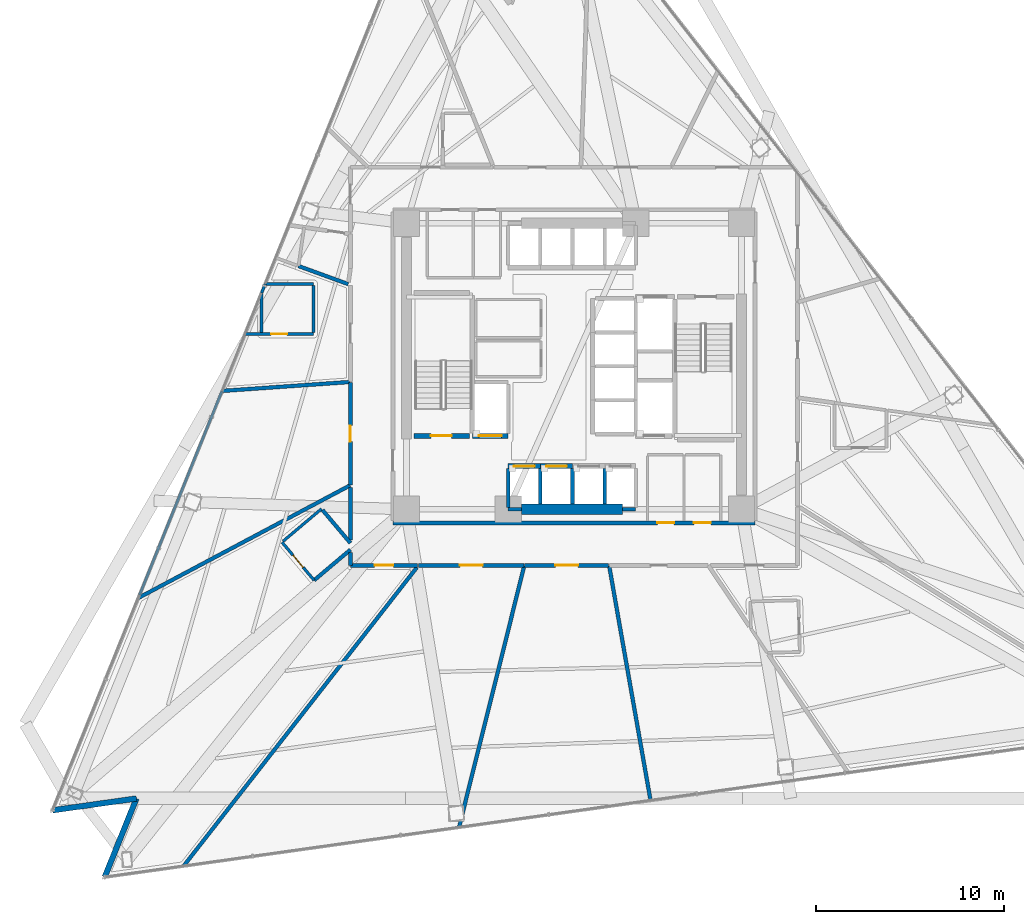
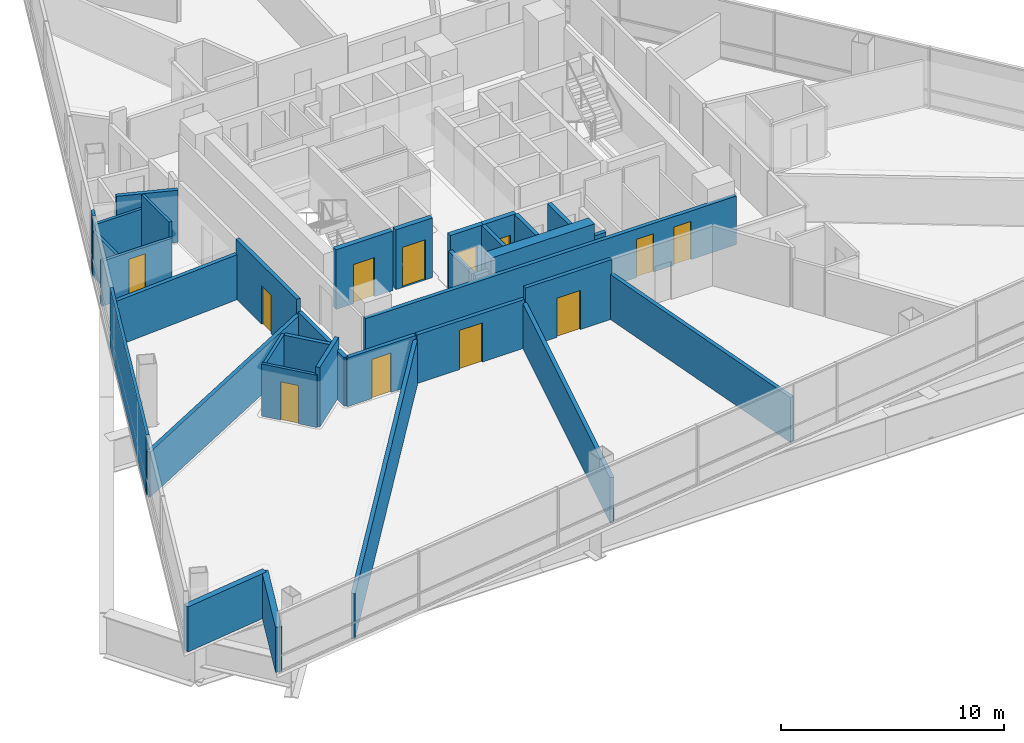
# One storey, part 7 of 15: 36 walls, 12 doors, 12 openings.
"""IFC4 building model written with IfcOpenShell, lengths in metres."""

from ifc_helpers import new_model, si_unit, direction, frame, frame_2d, origin, place, context, subcontext, project, spatial, rectangle, extrude, material, layer, layer_set, type_object, element, fill, save


model = new_model("IFC4")

# Units and contexts
model_context = context("Model", 3, precision=1e-05, world=origin(), true_north=direction((0.0, 1.0)))
body_context = subcontext(model_context, "Body", "Model", "MODEL_VIEW")
ifc_project = project(units=[si_unit("LENGTHUNIT", "METRE"), si_unit("AREAUNIT", "SQUARE_METRE"), si_unit("VOLUMEUNIT", "CUBIC_METRE"), si_unit("PLANEANGLEUNIT", "RADIAN"), si_unit("MASSUNIT", "GRAM", prefix="KILO")], contexts=[model_context])

# Site, building, storey
site_placement = place(None, origin())
site = spatial("IfcSite", under=ifc_project, at=site_placement, CompositionType="ELEMENT")
building_placement = place(site_placement, origin())
building = spatial("IfcBuilding", under=site, at=building_placement, Name="Tharavind Bronze Gate", CompositionType="ELEMENT")
storey_placement = place(building_placement, frame((0.0, 0.0, 57.0)))
storey = spatial("IfcBuildingStorey", under=building, at=storey_placement, Name="L13", CompositionType="ELEMENT", Elevation=57.0)

# Walls
ifc_material_1 = material(Name="Concrete C40/50", Category="concrete")
ifc_layer_1 = layer(ifc_material_1, 0.300048828125)
ifc_layer_set_1 = layer_set([ifc_layer_1], Name="Concrete C40/50")
wall_type_1 = type_object("IfcWallType", Name="EXTERIOR SPANDREL WALL 300", PredefinedType="STANDARD", material=ifc_layer_set_1)
wall_1_placement = place(storey_placement, frame((-27.70703125, -23.591796875, 0.0), z_axis=(0.0, 0.0, 1.0), x_axis=(0.990269200152, 0.139165050317, 0.0)))
element("IfcWall", 1, at=wall_1_placement, inside=storey, type_object=wall_type_1, Name="L13 notch cheek wall 2A", PredefinedType="STANDARD", context=body_context, shape_type="SweptSolid", body=[
    extrude(rectangle(XDim=4.499755859375, YDim=0.300048828125, at=frame_2d((2.25, 0.0))), origin(), (0.0, 0.0, 1.0), 2.469970703125),
])
wall_2_placement = place(storey_placement, frame((-23.2509765625, -22.965576171875, 0.0), z_axis=(0.0, 0.0, 1.0), x_axis=(-0.374568898324, -0.927199083481, 0.0)))
element("IfcWall", 2, at=wall_2_placement, inside=storey, type_object=wall_type_1, Name="L13 notch cheek wall 2B", PredefinedType="STANDARD", context=body_context, shape_type="SweptSolid", body=[
    extrude(rectangle(XDim=4.5, YDim=0.300048828125, at=frame_2d((2.25, 0.0))), origin(), (0.0, 0.0, 1.0), 2.469970703125),
])

# Wall, openings, doors
ifc_material_2 = material(Name="Aerated Concrete Block", Category="concrete")
ifc_layer_2 = layer(ifc_material_2, 0.199951171875)
ifc_layer_set_2 = layer_set([ifc_layer_2], Name="Aerated Concrete Block")
wall_type_2 = type_object("IfcWallType", Name="FIRE RATED PARTITION 200", PredefinedType="PARTITIONING", material=ifc_layer_set_2)
wall_3_placement = place(storey_placement, frame((-9.6201171875, -8.320068359375, 0.0), z_axis=(0.0, 0.0, 1.0), x_axis=(1.0, 0.0, 0.0)))
wall_3 = element("IfcWall", 3, at=wall_3_placement, inside=storey, type_object=wall_type_2, Name="L13 south core corridor wall", PredefinedType="PARTITIONING", context=body_context, shape_type="SweptSolid", body=[
    extrude(rectangle(XDim=19.240234375, YDim=0.199951171875, at=frame_2d((9.6201171875, 0.0))), origin(), (0.0, 0.0, 1.0), 2.669921875),
])
opening_1_placement = place(wall_3_placement, frame((14.044921875, 0.0, 0.0)))
opening_1 = element("IfcOpeningElement", 4, at=opening_1_placement, cuts=wall_3, Name="Opening ID07", PredefinedType="OPENING", context=body_context, shape_type="SweptSolid", body=[
    extrude(rectangle(XDim=0.89990234375, YDim=2.10009765625, at=frame_2d((0.449951171875, 1.050048828125))), frame((0.0, 0.11009765625, 0.0), z_axis=(0.0, -1.0, 0.0), x_axis=(1.0, 0.0, 0.0)), (0.0, 0.0, 1.0), 0.219951171875),
])
opening_2_placement = place(wall_3_placement, frame((15.9951171875, 0.0, 0.0)))
opening_2 = element("IfcOpeningElement", 5, at=opening_2_placement, cuts=wall_3, Name="Opening ID07", PredefinedType="OPENING", context=body_context, shape_type="SweptSolid", body=[
    extrude(rectangle(XDim=0.89990234375, YDim=2.10009765625, at=frame_2d((0.449951171875, 1.050048828125))), frame((0.0, 0.11009765625, 0.0), z_axis=(0.0, -1.0, 0.0), x_axis=(1.0, 0.0, 0.0)), (0.0, 0.0, 1.0), 0.219951171875),
])
ifc_material_3 = material(Name="Galvanised Fire Steel", Category="steel")
door_type_1 = type_object("IfcDoorType", Name="PLANT AND RISER FIRE DOOR 900X2100", OperationType="SINGLE_SWING_LEFT", PredefinedType="DOOR", material=ifc_material_3)
door_1_placement = place(opening_1_placement, origin())
door_1 = element("IfcDoor", 6, at=door_1_placement, inside=storey, type_object=door_type_1, Name="L13 Comms Patch Room fire door", OperationType="SINGLE_SWING_LEFT", OverallHeight=2.10009765625, OverallWidth=0.89990234375, PredefinedType="DOOR", context=body_context, shape_type="SweptSolid", body=[
    extrude(rectangle(XDim=0.89990234375, YDim=2.10009765625, at=frame_2d((0.449951171875, 1.050048828125))), frame((0.0, 0.02490234375, 0.0), z_axis=(0.0, -1.0, 0.0), x_axis=(1.0, 0.0, 0.0)), (0.0, 0.0, 1.0), 0.050048828125),
])
fill(opening_1, door_1)
door_2_placement = place(opening_2_placement, origin())
door_2 = element("IfcDoor", 7, at=door_2_placement, inside=storey, type_object=door_type_1, Name="L13 Housekeeping Store fire door", OperationType="SINGLE_SWING_LEFT", OverallHeight=2.10009765625, OverallWidth=0.89990234375, PredefinedType="DOOR", context=body_context, shape_type="SweptSolid", body=[
    extrude(rectangle(XDim=0.89990234375, YDim=2.10009765625, at=frame_2d((0.449951171875, 1.050048828125))), frame((0.0, 0.02490234375, 0.0), z_axis=(0.0, -1.0, 0.0), x_axis=(1.0, 0.0, 0.0)), (0.0, 0.0, 1.0), 0.050048828125),
])
fill(opening_2, door_2)

# Walls
wall_4_placement = place(storey_placement, frame((-12.0, 4.36767578125, 0.0), z_axis=(0.0, 0.0, 1.0), x_axis=(-0.939689330019, 0.342029184499, 0.0)))
element("IfcWall", 8, at=wall_4_placement, inside=storey, type_object=wall_type_2, Name="L13 En-Suite Bathroom partition", PredefinedType="PARTITIONING", context=body_context, shape_type="SweptSolid", body=[
    extrude(rectangle(XDim=2.808837890625, YDim=0.199951171875, at=frame_2d((1.404296875, 0.0))), origin(), (0.0, 0.0, 1.0), 2.8701171875),
])
wall_5_placement = place(storey_placement, frame((-11.8798828125, -9.744873046875, 0.0), z_axis=(0.0, 0.0, 1.0), x_axis=(-0.764712982519, -0.644371053328, 0.0)))
element("IfcWall", 9, at=wall_5_placement, inside=storey, type_object=wall_type_2, Name="L13 En-Suite Bathroom partition", PredefinedType="PARTITIONING", context=body_context, shape_type="SweptSolid", body=[
    extrude(rectangle(XDim=2.523681640625, YDim=0.199951171875, at=frame_2d((1.26171875, 0.0))), origin(), (0.0, 0.0, 1.0), 3.27490234375),
])
wall_6_placement = place(storey_placement, frame((-13.363037109375, -7.6337890625, 0.0), z_axis=(0.0, 0.0, 1.0), x_axis=(0.644400290836, -0.764688345125, 0.0)))
element("IfcWall", 10, at=wall_6_placement, inside=storey, type_object=wall_type_2, Name="L13 En-Suite Bathroom partition", PredefinedType="PARTITIONING", context=body_context, shape_type="SweptSolid", body=[
    extrude(rectangle(XDim=2.301513671875, YDim=0.199951171875, at=frame_2d((1.15087890625, 0.0))), origin(), (0.0, 0.0, 1.0), 2.669921875),
])
wall_7_placement = place(storey_placement, frame((-18.688232421875, -1.306884765625, 0.0), z_axis=(0.0, 0.0, 1.0), x_axis=(0.997562443225, 0.069779451603, 0.0)))
element("IfcWall", 11, at=wall_7_placement, inside=storey, type_object=wall_type_2, Name="L13 Public Restrooms Block partition", PredefinedType="PARTITIONING", context=body_context, shape_type="SweptSolid", body=[
    extrude(rectangle(XDim=6.798095703125, YDim=0.199951171875, at=frame_2d((3.39892578125, 0.0))), origin(), (0.0, 0.0, 1.0), 2.469970703125),
])

# Wall, opening, door
wall_8_placement = place(storey_placement, frame((-11.8798828125, -0.857421875, 0.0), z_axis=(0.0, 0.0, 1.0), x_axis=(0.0, -1.0, 0.0)))
wall_8 = element("IfcWall", 12, at=wall_8_placement, inside=storey, type_object=wall_type_2, Name="L13 Public Restrooms Block partition", PredefinedType="PARTITIONING", context=body_context, shape_type="SweptSolid", body=[
    extrude(rectangle(XDim=5.4443359375, YDim=0.199951171875, at=frame_2d((2.72216796875, 0.0))), origin(), (0.0, 0.0, 1.0), 3.27490234375),
])
opening_3_placement = place(wall_8_placement, frame((2.297119140625, 0.0, 0.0)))
opening_3 = element("IfcOpeningElement", 13, at=opening_3_placement, cuts=wall_8, Name="Opening ID06", PredefinedType="OPENING", context=body_context, shape_type="SweptSolid", body=[
    extrude(rectangle(XDim=0.85009765625, YDim=2.10009765625, at=frame_2d((0.425048828125, 1.050048828125))), frame((0.0, 0.11009765625, 0.0), z_axis=(0.0, -1.0, 0.0), x_axis=(1.0, 0.0, 0.0)), (0.0, 0.0, 1.0), 0.219951171875),
])
ifc_material_4 = material(Name="Moisture-Resistant Timber", Category="wood")
door_type_2 = type_object("IfcDoorType", Name="BATHROOM PRIVACY DOOR 850X2100", OperationType="SINGLE_SWING_RIGHT", PredefinedType="DOOR", material=ifc_material_4)
door_3_placement = place(opening_3_placement, origin())
door_3 = element("IfcDoor", 14, at=door_3_placement, inside=storey, type_object=door_type_2, Name="L13 Public Restrooms Block door", OperationType="SINGLE_SWING_RIGHT", OverallHeight=2.10009765625, OverallWidth=0.85009765625, PredefinedType="DOOR", context=body_context, shape_type="SweptSolid", body=[
    extrude(rectangle(XDim=0.85009765625, YDim=2.10009765625, at=frame_2d((0.425048828125, 1.050048828125))), frame((0.0, 0.02490234375, 0.0), z_axis=(0.0, -1.0, 0.0), x_axis=(1.0, 0.0, 0.0)), (0.0, 0.0, 1.0), 0.050048828125),
])
fill(opening_3, door_3)

# Walls
wall_9_placement = place(storey_placement, frame((-11.893310546875, -6.32373046875, 0.0), z_axis=(0.0, 0.0, 1.0), x_axis=(-0.882946043117, -0.469474477416, 0.0)))
element("IfcWall", 15, at=wall_9_placement, inside=storey, type_object=wall_type_2, Name="L13 Public Restrooms Block partition", PredefinedType="PARTITIONING", context=body_context, shape_type="SweptSolid", body=[
    extrude(rectangle(XDim=12.7470703125, YDim=0.199951171875, at=frame_2d((6.37353515625, 0.0))), origin(), (0.0, 0.0, 1.0), 2.469970703125),
])
wall_10_placement = place(storey_placement, frame((4.062255859375, -23.0380859375, 0.0), z_axis=(0.0, 0.0, 1.0), x_axis=(-0.173658422676, 0.984805946486, 0.0)))
element("IfcWall", 16, at=wall_10_placement, inside=storey, type_object=wall_type_2, Name="L13 Public Restrooms Block partition", PredefinedType="PARTITIONING", context=body_context, shape_type="SweptSolid", body=[
    extrude(rectangle(XDim=12.620361328125, YDim=0.199951171875, at=frame_2d((6.31005859375, 0.0))), origin(), (0.0, 0.0, 1.0), 2.469970703125),
])
wall_11_placement = place(storey_placement, frame((-11.8798828125, -6.435546875, 0.0), z_axis=(0.0, 0.0, 1.0), x_axis=(0.0, -1.0, 0.0)))
element("IfcWall", 17, at=wall_11_placement, inside=storey, type_object=wall_type_2, Name="L13 Deluxe Hotel Suite partition", PredefinedType="PARTITIONING", context=body_context, shape_type="SweptSolid", body=[
    extrude(rectangle(XDim=2.795166015625, YDim=0.199951171875, at=frame_2d((1.3974609375, 0.0))), origin(), (0.0, 0.0, 1.0), 2.669921875),
])
wall_12_placement = place(storey_placement, frame((-11.8798828125, -9.882080078125, 0.0), z_axis=(0.0, 0.0, 1.0), x_axis=(0.0, -1.0, 0.0)))
element("IfcWall", 18, at=wall_12_placement, inside=storey, type_object=wall_type_2, Name="L13 Deluxe Hotel Suite partition", PredefinedType="PARTITIONING", context=body_context, shape_type="SweptSolid", body=[
    extrude(rectangle(XDim=0.697265625, YDim=0.199951171875, at=frame_2d((0.3486328125, 0.0))), origin(), (0.0, 0.0, 1.0), 2.669921875),
])

# Wall, opening, door
wall_13_placement = place(storey_placement, frame((-11.87939453125, -10.580078125, 0.0), z_axis=(0.0, 0.0, 1.0), x_axis=(1.0, 0.0, 0.0)))
wall_13 = element("IfcWall", 19, at=wall_13_placement, inside=storey, type_object=wall_type_2, Name="L13 Deluxe Hotel Suite partition", PredefinedType="PARTITIONING", context=body_context, shape_type="SweptSolid", body=[
    extrude(rectangle(XDim=3.56201171875, YDim=0.199951171875, at=frame_2d((1.781005859375, 0.0))), origin(), (0.0, 0.0, 1.0), 2.669921875),
])
opening_4_placement = place(wall_13_placement, frame((1.281005859375, 0.0, 0.0)))
opening_4 = element("IfcOpeningElement", 20, at=opening_4_placement, cuts=wall_13, Name="Opening ID03", PredefinedType="OPENING", context=body_context, shape_type="SweptSolid", body=[
    extrude(rectangle(XDim=1.0, YDim=2.14990234375, at=frame_2d((0.5, 1.074951171875))), frame((0.0, 0.11009765625, 0.0), z_axis=(0.0, -1.0, 0.0), x_axis=(1.0, 0.0, 0.0)), (0.0, 0.0, 1.0), 0.219951171875),
])
ifc_material_5 = material(Name="Solid Timber Veneer", Category="wood")
door_type_3 = type_object("IfcDoorType", Name="HOTEL SUITE ENTRANCE DOOR 1000X2150", OperationType="SINGLE_SWING_LEFT", PredefinedType="DOOR", material=ifc_material_5)
door_4_placement = place(opening_4_placement, origin())
door_4 = element("IfcDoor", 21, at=door_4_placement, inside=storey, type_object=door_type_3, Name="L13 Deluxe Hotel Suite door", OperationType="SINGLE_SWING_LEFT", OverallHeight=2.14990234375, OverallWidth=1.0, PredefinedType="DOOR", context=body_context, shape_type="SweptSolid", body=[
    extrude(rectangle(XDim=1.0, YDim=2.14990234375, at=frame_2d((0.5, 1.074951171875))), frame((0.0, 0.02490234375, 0.0), z_axis=(0.0, -1.0, 0.0), x_axis=(1.0, 0.0, 0.0)), (0.0, 0.0, 1.0), 0.050048828125),
])
fill(opening_4, door_4)

# Wall
wall_14_placement = place(storey_placement, frame((-8.34814453125, -10.68505859375, 0.0), z_axis=(0.0, 0.0, 1.0), x_axis=(-0.615661230884, -0.788010944585, 0.0)))
element("IfcWall", 22, at=wall_14_placement, inside=storey, type_object=wall_type_2, Name="L13 Deluxe Hotel Suite partition", PredefinedType="PARTITIONING", context=body_context, shape_type="SweptSolid", body=[
    extrude(rectangle(XDim=20.12060546875, YDim=0.199951171875, at=frame_2d((10.060302734375, 0.0))), origin(), (0.0, 0.0, 1.0), 2.469970703125),
])

# Wall, opening, door
wall_15_placement = place(storey_placement, frame((-8.25390625, -10.580078125, 0.0), z_axis=(0.0, 0.0, 1.0), x_axis=(1.0, 0.0, 0.0)))
wall_15 = element("IfcWall", 23, at=wall_15_placement, inside=storey, type_object=wall_type_2, Name="L13 Hotel Guest Lounge partition", PredefinedType="PARTITIONING", context=body_context, shape_type="SweptSolid", body=[
    extrude(rectangle(XDim=5.583984375, YDim=0.199951171875, at=frame_2d((2.7919921875, 0.0))), origin(), (0.0, 0.0, 1.0), 2.669921875),
])
opening_5_placement = place(wall_15_placement, frame((2.19189453125, 0.0, 0.0)))
opening_5 = element("IfcOpeningElement", 24, at=opening_5_placement, cuts=wall_15, Name="Opening ID05", PredefinedType="OPENING", context=body_context, shape_type="SweptSolid", body=[
    extrude(rectangle(XDim=1.199951171875, YDim=2.14990234375, at=frame_2d((0.60009765625, 1.074951171875))), frame((0.0, 0.11009765625, 0.0), z_axis=(0.0, -1.0, 0.0), x_axis=(1.0, 0.0, 0.0)), (0.0, 0.0, 1.0), 0.219951171875),
])
ifc_material_6 = material(Name="Acoustic Laminated Glass", Category="glass")
door_type_4 = type_object("IfcDoorType", Name="MEETING ROOM GLAZED DOOR 1200X2150", OperationType="SINGLE_SWING_LEFT", PredefinedType="DOOR", material=ifc_material_6)
door_5_placement = place(opening_5_placement, origin())
door_5 = element("IfcDoor", 25, at=door_5_placement, inside=storey, type_object=door_type_4, Name="L13 Hotel Guest Lounge door", OperationType="SINGLE_SWING_LEFT", OverallHeight=2.14990234375, OverallWidth=1.199951171875, PredefinedType="DOOR", context=body_context, shape_type="SweptSolid", body=[
    extrude(rectangle(XDim=1.199951171875, YDim=2.14990234375, at=frame_2d((0.60009765625, 1.074951171875))), frame((0.0, 0.02490234375, 0.0), z_axis=(0.0, -1.0, 0.0), x_axis=(1.0, 0.0, 0.0)), (0.0, 0.0, 1.0), 0.050048828125),
])
fill(opening_5, door_5)

# Wall
wall_16_placement = place(storey_placement, frame((-2.6455078125, -10.611083984375, 0.0), z_axis=(0.0, 0.0, 1.0), x_axis=(-0.241928502378, -0.970294078997, 0.0)))
element("IfcWall", 26, at=wall_16_placement, inside=storey, type_object=wall_type_2, Name="L13 Hotel Guest Lounge partition", PredefinedType="PARTITIONING", context=body_context, shape_type="SweptSolid", body=[
    extrude(rectangle(XDim=14.28857421875, YDim=0.199951171875, at=frame_2d((7.144287109375, 0.0))), origin(), (0.0, 0.0, 1.0), 2.469970703125),
])

# Wall, opening, door
wall_17_placement = place(storey_placement, frame((-2.618408203125, -10.580078125, 0.0), z_axis=(0.0, 0.0, 1.0), x_axis=(1.0, 0.0, 0.0)))
wall_17 = element("IfcWall", 27, at=wall_17_placement, inside=storey, type_object=wall_type_2, Name="L13 Hotel Guest Lounge partition", PredefinedType="PARTITIONING", context=body_context, shape_type="SweptSolid", body=[
    extrude(rectangle(XDim=4.462890625, YDim=0.199951171875, at=frame_2d((2.2314453125, 0.0))), origin(), (0.0, 0.0, 1.0), 3.27490234375),
])
opening_6_placement = place(wall_17_placement, frame((1.631103515625, 0.0, 0.0)))
opening_6 = element("IfcOpeningElement", 28, at=opening_6_placement, cuts=wall_17, Name="Opening ID05", PredefinedType="OPENING", context=body_context, shape_type="SweptSolid", body=[
    extrude(rectangle(XDim=1.199951171875, YDim=2.14990234375, at=frame_2d((0.60009765625, 1.074951171875))), frame((0.0, 0.11009765625, 0.0), z_axis=(0.0, -1.0, 0.0), x_axis=(1.0, 0.0, 0.0)), (0.0, 0.0, 1.0), 0.219951171875),
])
door_6_placement = place(opening_6_placement, origin())
door_6 = element("IfcDoor", 29, at=door_6_placement, inside=storey, type_object=door_type_4, Name="L13 Hotel Guest Lounge door", OperationType="SINGLE_SWING_LEFT", OverallHeight=2.14990234375, OverallWidth=1.199951171875, PredefinedType="DOOR", context=body_context, shape_type="SweptSolid", body=[
    extrude(rectangle(XDim=1.199951171875, YDim=2.14990234375, at=frame_2d((0.60009765625, 1.074951171875))), frame((0.0, 0.02490234375, 0.0), z_axis=(0.0, -1.0, 0.0), x_axis=(1.0, 0.0, 0.0)), (0.0, 0.0, 1.0), 0.050048828125),
])
fill(opening_6, door_6)

ifc_material_7 = material(Name="Twin Stud Acoustic Gypsum", Category="gypsum")
ifc_layer_3 = layer(ifc_material_7, 0.14990234375)
ifc_layer_set_3 = layer_set([ifc_layer_3], Name="Twin Stud Acoustic Gypsum")
wall_type_3 = type_object("IfcWallType", Name="INTERIOR PARTITION WALL 150", PredefinedType="PARTITIONING", material=ifc_layer_set_3)
wall_18_placement = place(storey_placement, frame((-13.85009765625, 1.717529296875, 0.0), z_axis=(0.0, 0.0, 1.0), x_axis=(-1.0, 0.0, 0.0)))
wall_18 = element("IfcWall", 30, at=wall_18_placement, inside=storey, type_object=wall_type_3, Name="L13 En-Suite Bathroom partition", PredefinedType="PARTITIONING", context=body_context, shape_type="SweptSolid", body=[
    extrude(rectangle(XDim=3.63134765625, YDim=0.14990234375, at=frame_2d((1.815673828125, 0.0))), origin(), (0.0, 0.0, 1.0), 2.469970703125),
])
opening_7_placement = place(wall_18_placement, frame((1.39111328125, 0.0, 0.0)))
opening_7 = element("IfcOpeningElement", 31, at=opening_7_placement, cuts=wall_18, Name="Opening ID06", PredefinedType="OPENING", context=body_context, shape_type="SweptSolid", body=[
    extrude(rectangle(XDim=0.85009765625, YDim=2.10009765625, at=frame_2d((0.425048828125, 1.050048828125))), frame((0.0, 0.084951171875, 0.0), z_axis=(0.0, -1.0, 0.0), x_axis=(1.0, 0.0, 0.0)), (0.0, 0.0, 1.0), 0.16990234375),
])
door_7_placement = place(opening_7_placement, origin())
door_7 = element("IfcDoor", 32, at=door_7_placement, inside=storey, type_object=door_type_2, Name="L13 En-Suite Bathroom door", OperationType="SINGLE_SWING_RIGHT", OverallHeight=2.10009765625, OverallWidth=0.85009765625, PredefinedType="DOOR", context=body_context, shape_type="SweptSolid", body=[
    extrude(rectangle(XDim=0.85009765625, YDim=2.10009765625, at=frame_2d((0.425048828125, 1.050048828125))), frame((0.0, 0.02490234375, 0.0), z_axis=(0.0, -1.0, 0.0), x_axis=(1.0, 0.0, 0.0)), (0.0, 0.0, 1.0), 0.050048828125),
])
fill(opening_7, door_7)

# Walls
wall_19_placement = place(storey_placement, frame((-16.60009765625, 1.797607421875, 0.0), z_axis=(0.0, 0.0, 1.0), x_axis=(0.0, 1.0, 0.0)))
element("IfcWall", 33, at=wall_19_placement, inside=storey, type_object=wall_type_3, Name="L13 En-Suite Bathroom partition", PredefinedType="PARTITIONING", context=body_context, shape_type="SweptSolid", body=[
    extrude(rectangle(XDim=2.1015625, YDim=0.14990234375, at=frame_2d((1.05078125, 0.0))), origin(), (0.0, 0.0, 1.0), 2.469970703125),
])
wall_20_placement = place(storey_placement, frame((-16.60009765625, 3.899169921875, 0.0), z_axis=(0.0, 0.0, 1.0), x_axis=(0.374886357565, 0.92707077341, 0.0)))
element("IfcWall", 34, at=wall_20_placement, inside=storey, type_object=wall_type_3, Name="L13 En-Suite Bathroom partition", PredefinedType="PARTITIONING", context=body_context, shape_type="SweptSolid", body=[
    extrude(rectangle(XDim=0.50537109375, YDim=0.14990234375, at=frame_2d((0.252685546875, 0.0))), origin(), (0.0, 0.0, 1.0), 3.27490234375),
])
wall_21_placement = place(storey_placement, frame((-16.41064453125, 4.36767578125, 0.0), z_axis=(0.0, 0.0, 1.0), x_axis=(1.0, 0.0, 0.0)))
element("IfcWall", 35, at=wall_21_placement, inside=storey, type_object=wall_type_3, Name="L13 En-Suite Bathroom partition", PredefinedType="PARTITIONING", context=body_context, shape_type="SweptSolid", body=[
    extrude(rectangle(XDim=2.560546875, YDim=0.14990234375, at=frame_2d((1.2802734375, 0.0))), origin(), (0.0, 0.0, 1.0), 2.469970703125),
])
wall_22_placement = place(storey_placement, frame((-13.85009765625, 4.28759765625, 0.0), z_axis=(0.0, 0.0, 1.0), x_axis=(0.0, -1.0, 0.0)))
element("IfcWall", 36, at=wall_22_placement, inside=storey, type_object=wall_type_3, Name="L13 En-Suite Bathroom partition", PredefinedType="PARTITIONING", context=body_context, shape_type="SweptSolid", body=[
    extrude(rectangle(XDim=2.489990234375, YDim=0.14990234375, at=frame_2d((1.2451171875, 0.0))), origin(), (0.0, 0.0, 1.0), 3.27490234375),
])

# Wall, opening, door
wall_23_placement = place(storey_placement, frame((-13.809814453125, -11.37109375, 0.0), z_axis=(0.0, 0.0, 1.0), x_axis=(-0.644478981733, 0.764622025647, 0.0)))
wall_23 = element("IfcWall", 37, at=wall_23_placement, inside=storey, type_object=wall_type_3, Name="L13 En-Suite Bathroom partition", PredefinedType="PARTITIONING", context=body_context, shape_type="SweptSolid", body=[
    extrude(rectangle(XDim=2.64990234375, YDim=0.14990234375, at=frame_2d((1.324951171875, 0.0))), origin(), (0.0, 0.0, 1.0), 2.8701171875),
])
opening_8_placement = place(wall_23_placement, frame((0.89990234375, 0.0, 0.0)))
opening_8 = element("IfcOpeningElement", 38, at=opening_8_placement, cuts=wall_23, Name="Opening ID06", PredefinedType="OPENING", context=body_context, shape_type="SweptSolid", body=[
    extrude(rectangle(XDim=0.85009765625, YDim=2.10009765625, at=frame_2d((0.425048828125, 1.050048828125))), frame((0.0, 0.084951171875, 0.0), z_axis=(0.0, -1.0, 0.0), x_axis=(1.0, 0.0, 0.0)), (0.0, 0.0, 1.0), 0.16990234375),
])
door_8_placement = place(opening_8_placement, origin())
door_8 = element("IfcDoor", 39, at=door_8_placement, inside=storey, type_object=door_type_2, Name="L13 En-Suite Bathroom door", OperationType="SINGLE_SWING_RIGHT", OverallHeight=2.10009765625, OverallWidth=0.85009765625, PredefinedType="DOOR", context=body_context, shape_type="SweptSolid", body=[
    extrude(rectangle(XDim=0.85009765625, YDim=2.10009765625, at=frame_2d((0.425048828125, 1.050048828125))), frame((0.0, 0.02490234375, 0.0), z_axis=(0.0, -1.0, 0.0), x_axis=(1.0, 0.0, 0.0)), (0.0, 0.0, 1.0), 0.050048828125),
])
fill(opening_8, door_8)

# Walls
wall_24_placement = place(storey_placement, frame((-15.456298828125, -9.293212890625, 0.0), z_axis=(0.0, 0.0, 1.0), x_axis=(0.764709608169, 0.644375057846, 0.0)))
element("IfcWall", 40, at=wall_24_placement, inside=storey, type_object=wall_type_3, Name="L13 En-Suite Bathroom partition", PredefinedType="PARTITIONING", context=body_context, shape_type="SweptSolid", body=[
    extrude(rectangle(XDim=2.669921875, YDim=0.14990234375, at=frame_2d((1.3349609375, 0.0))), origin(), (0.0, 0.0, 1.0), 2.669921875),
])
wall_25_placement = place(storey_placement, frame((-23.0869140625, -12.156494140625, 0.0), z_axis=(0.0, 0.0, 1.0), x_axis=(0.374605375648, 0.927184346576, 0.0)))
element("IfcWall", 41, at=wall_25_placement, inside=storey, type_object=wall_type_3, Name="L13 Public Restrooms Block partition", PredefinedType="PARTITIONING", context=body_context, shape_type="SweptSolid", body=[
    extrude(rectangle(XDim=11.684814453125, YDim=0.14990234375, at=frame_2d((5.84228515625, 0.0))), origin(), (0.0, 0.0, 1.0), 3.27490234375),
])

# Wall, opening, door
ifc_material_8 = material(Name="Concrete C50/60", Category="concrete")
ifc_layer_4 = layer(ifc_material_8, 0.25)
ifc_layer_set_4 = layer_set([ifc_layer_4], Name="Concrete C50/60")
wall_type_4 = type_object("IfcWallType", Name="RC CORE SHEAR WALL 250", PredefinedType="SHEAR", material=ifc_layer_set_4)
wall_26_placement = place(storey_placement, frame((-8.5, -3.699951171875, 0.0), z_axis=(0.0, 0.0, 1.0), x_axis=(1.0, 0.0, 0.0)))
wall_26 = element("IfcWall", 42, at=wall_26_placement, inside=storey, type_object=wall_type_4, Name="L13 ST1 shaft south wall", PredefinedType="SHEAR", context=body_context, shape_type="SweptSolid", body=[
    extrude(rectangle(XDim=2.949951171875, YDim=0.25, at=frame_2d((1.47509765625, 0.0))), origin(), (0.0, 0.0, 1.0), 3.27490234375),
])
opening_9_placement = place(wall_26_placement, frame((0.89990234375, 0.0, 0.0)))
opening_9 = element("IfcOpeningElement", 43, at=opening_9_placement, cuts=wall_26, Name="Opening ID01", PredefinedType="OPENING", context=body_context, shape_type="SweptSolid", body=[
    extrude(rectangle(XDim=1.10009765625, YDim=2.14990234375, at=frame_2d((0.550048828125, 1.074951171875))), frame((0.0, 0.135, 0.0), z_axis=(0.0, -1.0, 0.0), x_axis=(1.0, 0.0, 0.0)), (0.0, 0.0, 1.0), 0.27),
])
ifc_material_9 = material(Name="Fire-Rated Steel", Category="steel")
door_type_5 = type_object("IfcDoorType", Name="STAIR CORE FIRE DOOR 1100X2150", OperationType="SINGLE_SWING_LEFT", PredefinedType="DOOR", material=ifc_material_9)
door_9_placement = place(opening_9_placement, origin())
door_9 = element("IfcDoor", 44, at=door_9_placement, inside=storey, type_object=door_type_5, Name="L13 exit stair ST1 fire door", OperationType="SINGLE_SWING_LEFT", OverallHeight=2.14990234375, OverallWidth=1.10009765625, PredefinedType="DOOR", context=body_context, shape_type="SweptSolid", body=[
    extrude(rectangle(XDim=1.10009765625, YDim=2.14990234375, at=frame_2d((0.550048828125, 1.074951171875))), frame((0.0, 0.02490234375, 0.0), z_axis=(0.0, -1.0, 0.0), x_axis=(1.0, 0.0, 0.0)), (0.0, 0.0, 1.0), 0.050048828125),
])
fill(opening_9, door_9)

wall_27_placement = place(storey_placement, frame((-3.5, -5.300048828125, 0.0), z_axis=(0.0, 0.0, 1.0), x_axis=(1.0, 0.0, 0.0)))
wall_27 = element("IfcWall", 45, at=wall_27_placement, inside=storey, type_object=wall_type_4, Name="L13 lift PL1 shaft front wall", PredefinedType="SHEAR", context=body_context, shape_type="SweptSolid", body=[
    extrude(rectangle(XDim=1.71240234375, YDim=0.25, at=frame_2d((0.856201171875, 0.0))), origin(), (0.0, 0.0, 1.0), 3.27490234375),
])
opening_10_placement = place(wall_27_placement, frame((0.305908203125, 0.0, 0.0)))
opening_10 = element("IfcOpeningElement", 46, at=opening_10_placement, cuts=wall_27, Name="Opening LD01", PredefinedType="OPENING", context=body_context, shape_type="SweptSolid", body=[
    extrude(rectangle(XDim=1.10009765625, YDim=2.199951171875, at=frame_2d((0.550048828125, 1.10009765625))), frame((0.0, 0.135, 0.0), z_axis=(0.0, -1.0, 0.0), x_axis=(1.0, 0.0, 0.0)), (0.0, 0.0, 1.0), 0.27),
])
ifc_material_10 = material(Name="Brushed Bronze Stainless Steel", Category="steel")
door_type_6 = type_object("IfcDoorType", Name="LIFT LANDING SLIDING DOOR 1100X2200", OperationType="SLIDING_TO_LEFT", PredefinedType="DOOR", material=ifc_material_10)
door_10_placement = place(opening_10_placement, origin())
door_10 = element("IfcDoor", 47, at=door_10_placement, inside=storey, type_object=door_type_6, Name="L13 lift PL1 sliding landing door", OperationType="SLIDING_TO_LEFT", OverallHeight=2.199951171875, OverallWidth=1.10009765625, PredefinedType="DOOR", context=body_context, shape_type="SweptSolid", body=[
    extrude(rectangle(XDim=1.10009765625, YDim=2.199951171875, at=frame_2d((0.550048828125, 1.10009765625))), frame((0.0, 0.02490234375, 0.0), z_axis=(0.0, -1.0, 0.0), x_axis=(1.0, 0.0, 0.0)), (0.0, 0.0, 1.0), 0.050048828125),
])
fill(opening_10, door_10)

wall_28_placement = place(storey_placement, frame((-1.78759765625, -5.300048828125, 0.0), z_axis=(0.0, 0.0, 1.0), x_axis=(1.0, 0.0, 0.0)))
wall_28 = element("IfcWall", 48, at=wall_28_placement, inside=storey, type_object=wall_type_4, Name="L13 lift PL2 shaft front wall", PredefinedType="SHEAR", context=body_context, shape_type="SweptSolid", body=[
    extrude(rectangle(XDim=1.712646484375, YDim=0.25, at=frame_2d((0.8564453125, 0.0))), origin(), (0.0, 0.0, 1.0), 3.27490234375),
])
opening_11_placement = place(wall_28_placement, frame((0.305908203125, 0.0, 0.0)))
opening_11 = element("IfcOpeningElement", 49, at=opening_11_placement, cuts=wall_28, Name="Opening LD01", PredefinedType="OPENING", context=body_context, shape_type="SweptSolid", body=[
    extrude(rectangle(XDim=1.10009765625, YDim=2.199951171875, at=frame_2d((0.550048828125, 1.10009765625))), frame((0.0, 0.135, 0.0), z_axis=(0.0, -1.0, 0.0), x_axis=(1.0, 0.0, 0.0)), (0.0, 0.0, 1.0), 0.27),
])
door_11_placement = place(opening_11_placement, origin())
door_11 = element("IfcDoor", 50, at=door_11_placement, inside=storey, type_object=door_type_6, Name="L13 lift PL2 sliding landing door", OperationType="SLIDING_TO_LEFT", OverallHeight=2.199951171875, OverallWidth=1.10009765625, PredefinedType="DOOR", context=body_context, shape_type="SweptSolid", body=[
    extrude(rectangle(XDim=1.10009765625, YDim=2.199951171875, at=frame_2d((0.550048828125, 1.10009765625))), frame((0.0, 0.02490234375, 0.0), z_axis=(0.0, -1.0, 0.0), x_axis=(1.0, 0.0, 0.0)), (0.0, 0.0, 1.0), 0.050048828125),
])
fill(opening_11, door_11)

wall_29_placement = place(storey_placement, frame((-5.39990234375, -3.699951171875, 0.0), z_axis=(0.0, 0.0, 1.0), x_axis=(1.0, 0.0, 0.0)))
wall_29 = element("IfcWall", 51, at=wall_29_placement, inside=storey, type_object=wall_type_4, Name="L13 lift FFL1 shaft front wall", PredefinedType="SHEAR", context=body_context, shape_type="SweptSolid", body=[
    extrude(rectangle(XDim=1.89990234375, YDim=0.25, at=frame_2d((0.949951171875, 0.0))), origin(), (0.0, 0.0, 1.0), 3.27490234375),
])
opening_12_placement = place(wall_29_placement, frame((0.35009765625, 0.0, 0.0)))
opening_12 = element("IfcOpeningElement", 52, at=opening_12_placement, cuts=wall_29, Name="Opening LD02", PredefinedType="OPENING", context=body_context, shape_type="SweptSolid", body=[
    extrude(rectangle(XDim=1.199951171875, YDim=2.199951171875, at=frame_2d((0.60009765625, 1.10009765625))), frame((0.0, 0.135, 0.0), z_axis=(0.0, -1.0, 0.0), x_axis=(1.0, 0.0, 0.0)), (0.0, 0.0, 1.0), 0.27),
])
ifc_material_11 = material(Name="Brushed Stainless Steel", Category="steel")
door_type_7 = type_object("IfcDoorType", Name="FIREFIGHTING LIFT LANDING DOOR 1200X2200", OperationType="SLIDING_TO_RIGHT", PredefinedType="DOOR", material=ifc_material_11)
door_12_placement = place(opening_12_placement, origin())
door_12 = element("IfcDoor", 53, at=door_12_placement, inside=storey, type_object=door_type_7, Name="L13 lift FFL1 sliding landing door", OperationType="SLIDING_TO_RIGHT", OverallHeight=2.199951171875, OverallWidth=1.199951171875, PredefinedType="DOOR", context=body_context, shape_type="SweptSolid", body=[
    extrude(rectangle(XDim=1.199951171875, YDim=2.199951171875, at=frame_2d((0.60009765625, 1.10009765625))), frame((0.0, 0.02490234375, 0.0), z_axis=(0.0, -1.0, 0.0), x_axis=(1.0, 0.0, 0.0)), (0.0, 0.0, 1.0), 0.050048828125),
])
fill(opening_12, door_12)

# Walls
ifc_material_12 = material(Name="Concrete C60/75", Category="concrete")
ifc_layer_5 = layer(ifc_material_12, 0.550048828125)
ifc_layer_set_5 = layer_set([ifc_layer_5], Name="Concrete C60/75")
wall_type_5 = type_object("IfcWallType", Name="RC CORE SHEAR WALL 550", PredefinedType="SHEAR", material=ifc_layer_set_5)
wall_30_placement = place(storey_placement, frame((-2.800048828125, -7.60009765625, 0.0), z_axis=(0.0, 0.0, 1.0), x_axis=(1.0, 0.0, 0.0)))
element("IfcWall", 54, at=wall_30_placement, inside=storey, type_object=wall_type_5, Name="L13 south core shear wall", PredefinedType="SHEAR", context=body_context, shape_type="SweptSolid", body=[
    extrude(rectangle(XDim=5.380126953125, YDim=0.550048828125, at=frame_2d((2.68994140625, 0.0))), origin(), (0.0, 0.0, 1.0), 3.27490234375),
])
ifc_layer_6 = layer(ifc_material_1, 0.199951171875)
ifc_layer_set_6 = layer_set([ifc_layer_6], Name="Concrete C40/50")
wall_type_6 = type_object("IfcWallType", Name="SHAFT ENCLOSURE WALL 200", PredefinedType="PARTITIONING", material=ifc_layer_set_6)
wall_31_placement = place(storey_placement, frame((-3.5, -7.60009765625, 0.0), z_axis=(0.0, 0.0, 1.0), x_axis=(1.0, 0.0, 0.0)))
element("IfcWall", 55, at=wall_31_placement, inside=storey, type_object=wall_type_6, Name="L13 lift PL1 shaft S enclosure wall", PredefinedType="PARTITIONING", context=body_context, shape_type="SweptSolid", body=[
    extrude(rectangle(XDim=0.699951171875, YDim=0.199951171875, at=frame_2d((0.35009765625, 0.0))), origin(), (0.0, 0.0, 1.0), 2.469970703125),
])
wall_32_placement = place(storey_placement, frame((-3.5, -7.4951171875, 0.0), z_axis=(0.0, 0.0, 1.0), x_axis=(0.0, 1.0, 0.0)))
element("IfcWall", 56, at=wall_32_placement, inside=storey, type_object=wall_type_6, Name="L13 lift PL1 shaft W enclosure wall", PredefinedType="PARTITIONING", context=body_context, shape_type="SweptSolid", body=[
    extrude(rectangle(XDim=2.065185546875, YDim=0.199951171875, at=frame_2d((1.03271484375, 0.0))), origin(), (0.0, 0.0, 1.0), 2.469970703125),
])
for number, where, z_axis, x_axis, name in (
    (57, (-1.78759765625, -7.320068359375, 0.0), (0.0, 0.0, 1.0), (0.0, 1.0, 0.0), "L13 lift PL1 shaft E enclosure wall"),
    (58, (-0.074951171875, -7.320068359375, 0.0), (0.0, 0.0, 1.0), (0.0, 1.0, 0.0), "L13 lift PL2 shaft E enclosure wall"),
    (59, (1.637451171875, -7.320068359375, 0.0), (0.0, 0.0, 1.0), (0.0, 1.0, 0.0), "L13 lift PL3 shaft E enclosure wall"),
):
    element("IfcWall", number, at=place(storey_placement, frame(where, z_axis=z_axis, x_axis=x_axis)), inside=storey, type_object=wall_type_6, Name=name, PredefinedType="PARTITIONING", context=body_context, shape_type="SweptSolid", body=[
        extrude(rectangle(XDim=1.89013671875, YDim=0.199951171875, at=frame_2d((0.945068359375, 0.0))), origin(), (0.0, 0.0, 1.0), 3.27490234375),
    ])
wall_33_placement = place(storey_placement, frame((2.580078125, -7.60009765625, 0.0), z_axis=(0.0, 0.0, 1.0), x_axis=(1.0, 0.0, 0.0)))
element("IfcWall", 60, at=wall_33_placement, inside=storey, type_object=wall_type_6, Name="L13 lift PL4 shaft S enclosure wall", PredefinedType="PARTITIONING", context=body_context, shape_type="SweptSolid", body=[
    extrude(rectangle(XDim=0.699951171875, YDim=0.199951171875, at=frame_2d((0.35009765625, 0.0))), origin(), (0.0, 0.0, 1.0), 2.469970703125),
])

save(model, "model.ifc")
